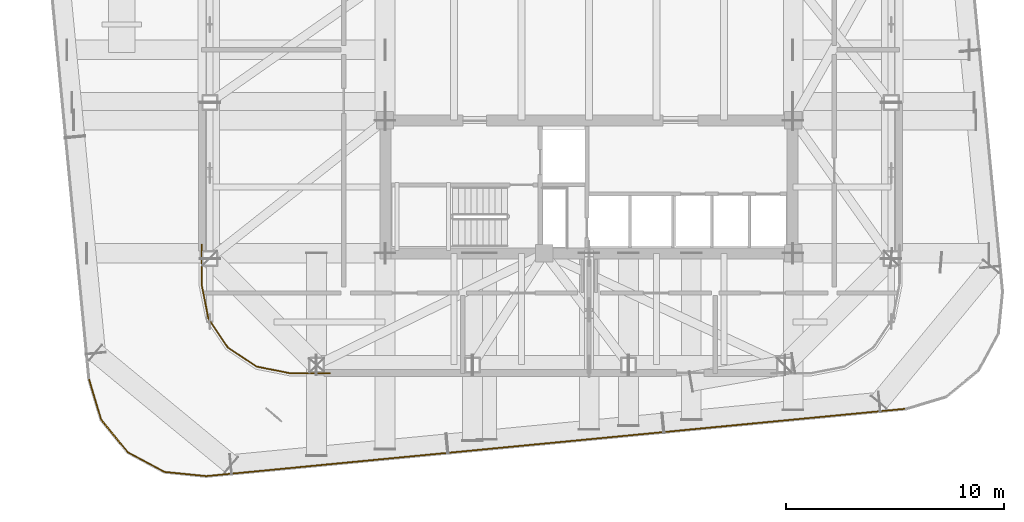
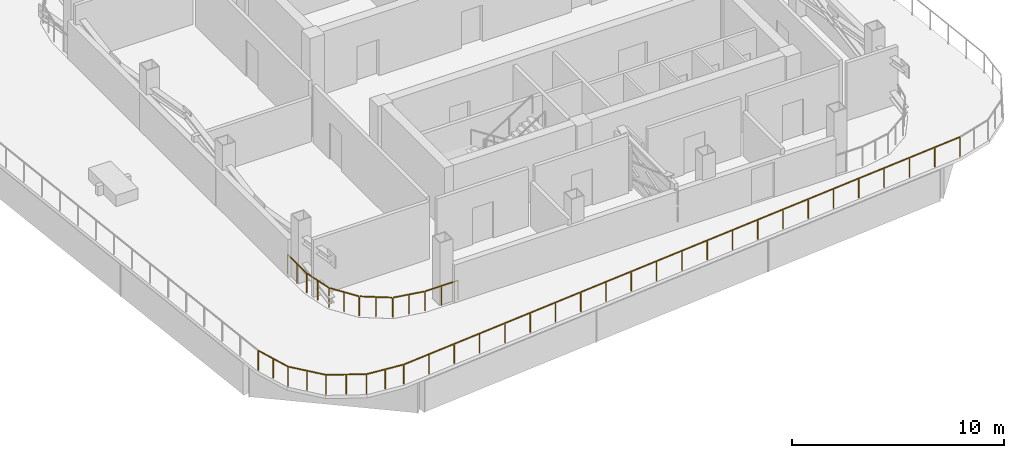
# One storey, part 8 of 12: 6 railings.
"""IFC4 building model written with IfcOpenShell, lengths in metres."""

from ifc_helpers import new_model, si_unit, direction, frame, origin, origin_2d, place, context, subcontext, project, spatial, rectangle, extrude, material, type_object, element, save


model = new_model("IFC4")

# Units and contexts
model_context = context("Model", 3, precision=1e-05, world=origin(), true_north=direction((0.0, 1.0)))
body_context = subcontext(model_context, "Body", "Model", "MODEL_VIEW")
ifc_project = project(units=[si_unit("LENGTHUNIT", "METRE"), si_unit("AREAUNIT", "SQUARE_METRE"), si_unit("VOLUMEUNIT", "CUBIC_METRE"), si_unit("PLANEANGLEUNIT", "RADIAN"), si_unit("MASSUNIT", "GRAM", prefix="KILO")], contexts=[model_context])

# Site, building, storey
site_placement = place(None, origin())
site = spatial("IfcSite", under=ifc_project, at=site_placement, CompositionType="ELEMENT")
building_placement = place(site_placement, origin())
building = spatial("IfcBuilding", under=site, at=building_placement, Name="Qhalaya Broadcast Tower", CompositionType="ELEMENT")
storey_placement = place(building_placement, frame((0.0, 0.0, 187.949951171875)))
storey = spatial("IfcBuildingStorey", under=building, at=storey_placement, Name="L55", CompositionType="ELEMENT", Elevation=187.949951171875)

# Railings
ifc_material = material(Name="Powder-Coated Galvanised Steel", Category="steel")
railing_type = type_object("IfcRailingType", Name="Terrace, Sky-Pool & Lookout Glass Balustrade 1150", PredefinedType="BALUSTRADE", material=ifc_material)
railing_1_placement = place(storey_placement, frame((14.54736328125, -15.8857421875, 0.0)))
element("IfcRailing", 1, at=railing_1_placement, inside=storey, type_object=railing_type, Name="L55 Perimeter Safety Balustrade BAL-TER1-01", PredefinedType="BALUSTRADE", context=body_context, shape_type="SweptSolid", body=[
    extrude(rectangle(XDim=0.048095703125, YDim=0.048095703125, at=origin_2d()), frame((0.0, 0.0, 1.1259765625), z_axis=(-0.995396439937, -0.095843243685, 0.0), x_axis=(0.095843243685, -0.995396439937, 0.0)), (0.0, 0.0, 1.0), 32.284423828125),
    extrude(rectangle(XDim=0.0419921875, YDim=0.0419921875, at=origin_2d()), origin(), (0.0, 0.0, 1.0), 1.099853515625),
    extrude(rectangle(XDim=0.0419921875, YDim=0.0419921875, at=origin_2d()), frame((-1.460693359375, -0.140625, 0.0)), (0.0, 0.0, 1.0), 1.099853515625),
    extrude(rectangle(XDim=0.0419921875, YDim=0.0419921875, at=origin_2d()), frame((-2.92138671875, -0.28125, 0.0)), (0.0, 0.0, 1.0), 1.099853515625),
    extrude(rectangle(XDim=0.0419921875, YDim=0.0419921875, at=origin_2d()), frame((-4.382080078125, -0.421875, 0.0)), (0.0, 0.0, 1.0), 1.099853515625),
    extrude(rectangle(XDim=0.0419921875, YDim=0.0419921875, at=origin_2d()), frame((-5.8427734375, -0.5625, 0.0)), (0.0, 0.0, 1.0), 1.099853515625),
    extrude(rectangle(XDim=0.0419921875, YDim=0.0419921875, at=origin_2d()), frame((-7.303466796875, -0.703125, 0.0)), (0.0, 0.0, 1.0), 1.099853515625),
    extrude(rectangle(XDim=0.0419921875, YDim=0.0419921875, at=origin_2d()), frame((-8.764404296875, -0.843994140625, 0.0)), (0.0, 0.0, 1.0), 1.099853515625),
    extrude(rectangle(XDim=0.0419921875, YDim=0.0419921875, at=origin_2d()), frame((-10.22509765625, -0.984619140625, 0.0)), (0.0, 0.0, 1.0), 1.099853515625),
    extrude(rectangle(XDim=0.0419921875, YDim=0.0419921875, at=origin_2d()), frame((-11.685791015625, -1.125244140625, 0.0)), (0.0, 0.0, 1.0), 1.099853515625),
    extrude(rectangle(XDim=0.0419921875, YDim=0.0419921875, at=origin_2d()), frame((-13.146484375, -1.265869140625, 0.0)), (0.0, 0.0, 1.0), 1.099853515625),
    extrude(rectangle(XDim=0.0419921875, YDim=0.0419921875, at=origin_2d()), frame((-14.607177734375, -1.406494140625, 0.0)), (0.0, 0.0, 1.0), 1.099853515625),
    extrude(rectangle(XDim=0.0419921875, YDim=0.0419921875, at=origin_2d()), frame((-16.06787109375, -1.547119140625, 0.0)), (0.0, 0.0, 1.0), 1.099853515625),
    extrude(rectangle(XDim=0.0419921875, YDim=0.0419921875, at=origin_2d()), frame((-17.528564453125, -1.687744140625, 0.0)), (0.0, 0.0, 1.0), 1.099853515625),
    extrude(rectangle(XDim=0.0419921875, YDim=0.0419921875, at=origin_2d()), frame((-18.9892578125, -1.828369140625, 0.0)), (0.0, 0.0, 1.0), 1.099853515625),
    extrude(rectangle(XDim=0.0419921875, YDim=0.0419921875, at=origin_2d()), frame((-20.449951171875, -1.968994140625, 0.0)), (0.0, 0.0, 1.0), 1.099853515625),
    extrude(rectangle(XDim=0.0419921875, YDim=0.0419921875, at=origin_2d()), frame((-21.91064453125, -2.109619140625, 0.0)), (0.0, 0.0, 1.0), 1.099853515625),
    extrude(rectangle(XDim=0.0419921875, YDim=0.0419921875, at=origin_2d()), frame((-23.371337890625, -2.250244140625, 0.0)), (0.0, 0.0, 1.0), 1.099853515625),
    extrude(rectangle(XDim=0.0419921875, YDim=0.0419921875, at=origin_2d()), frame((-24.832275390625, -2.39111328125, 0.0)), (0.0, 0.0, 1.0), 1.099853515625),
    extrude(rectangle(XDim=0.0419921875, YDim=0.0419921875, at=origin_2d()), frame((-26.29296875, -2.53173828125, 0.0)), (0.0, 0.0, 1.0), 1.099853515625),
    extrude(rectangle(XDim=0.0419921875, YDim=0.0419921875, at=origin_2d()), frame((-27.753662109375, -2.67236328125, 0.0)), (0.0, 0.0, 1.0), 1.099853515625),
    extrude(rectangle(XDim=0.0419921875, YDim=0.0419921875, at=origin_2d()), frame((-29.21435546875, -2.81298828125, 0.0)), (0.0, 0.0, 1.0), 1.099853515625),
    extrude(rectangle(XDim=0.0419921875, YDim=0.0419921875, at=origin_2d()), frame((-30.675048828125, -2.95361328125, 0.0)), (0.0, 0.0, 1.0), 1.099853515625),
    extrude(rectangle(XDim=0.0419921875, YDim=0.0419921875, at=origin_2d()), frame((-32.1357421875, -3.09423828125, 0.0)), (0.0, 0.0, 1.0), 1.099853515625),
])
railing_2_placement = place(storey_placement, frame((-17.58837890625, -18.97998046875, 0.0)))
element("IfcRailing", 2, at=railing_2_placement, inside=storey, type_object=railing_type, Name="L55 Perimeter Safety Balustrade BAL-TER1-02", PredefinedType="BALUSTRADE", context=body_context, shape_type="SweptSolid", body=[
    extrude(rectangle(XDim=0.048095703125, YDim=0.048095703125, at=origin_2d()), frame((0.0, 0.0, 1.1259765625), z_axis=(-0.994979325079, 0.100080680776, 0.0), x_axis=(-0.100080680776, -0.994979325079, 0.0)), (0.0, 0.0, 1.0), 1.92724609375),
    extrude(rectangle(XDim=0.0419921875, YDim=0.0419921875, at=origin_2d()), origin(), (0.0, 0.0, 1.0), 1.099853515625),
    extrude(rectangle(XDim=0.0419921875, YDim=0.0419921875, at=origin_2d()), frame((-0.958740234375, 0.096435546875, 0.0)), (0.0, 0.0, 1.0), 1.099853515625),
    extrude(rectangle(XDim=0.0419921875, YDim=0.0419921875, at=origin_2d()), frame((-1.91748046875, 0.19287109375, 0.0)), (0.0, 0.0, 1.0), 1.099853515625),
])
railing_3_placement = place(storey_placement, frame((-19.505859375, -18.787109375, 0.0)))
element("IfcRailing", 3, at=railing_3_placement, inside=storey, type_object=railing_type, Name="L55 Perimeter Safety Balustrade BAL-TER1-03", PredefinedType="BALUSTRADE", context=body_context, shape_type="SweptSolid", body=[
    extrude(rectangle(XDim=0.048095703125, YDim=0.048095703125, at=origin_2d()), frame((0.0, 0.0, 1.1259765625), z_axis=(-0.880911923968, 0.473280236447, 0.0), x_axis=(-0.473280236447, -0.880911923968, 0.0)), (0.0, 0.0, 1.0), 1.9189453125),
    extrude(rectangle(XDim=0.0419921875, YDim=0.0419921875, at=origin_2d()), origin(), (0.0, 0.0, 1.0), 1.099853515625),
    extrude(rectangle(XDim=0.0419921875, YDim=0.0419921875, at=origin_2d()), frame((-0.84521484375, 0.4541015625, 0.0)), (0.0, 0.0, 1.0), 1.099853515625),
    extrude(rectangle(XDim=0.0419921875, YDim=0.0419921875, at=origin_2d()), frame((-1.6904296875, 0.908203125, 0.0)), (0.0, 0.0, 1.0), 1.099853515625),
])
railing_4_placement = place(storey_placement, frame((-21.1962890625, -17.87890625, 0.0)))
element("IfcRailing", 4, at=railing_4_placement, inside=storey, type_object=railing_type, Name="L55 Perimeter Safety Balustrade BAL-TER1-04", PredefinedType="BALUSTRADE", context=body_context, shape_type="SweptSolid", body=[
    extrude(rectangle(XDim=0.048095703125, YDim=0.048095703125, at=origin_2d()), frame((0.0, 0.0, 1.1259765625), z_axis=(-0.632621056087, 0.774461489937, 0.0), x_axis=(-0.774461489937, -0.632621056087, 0.0)), (0.0, 0.0, 1.0), 1.919189453125),
    extrude(rectangle(XDim=0.0419921875, YDim=0.0419921875, at=origin_2d()), origin(), (0.0, 0.0, 1.0), 1.099853515625),
    extrude(rectangle(XDim=0.0419921875, YDim=0.0419921875, at=origin_2d()), frame((-0.60693359375, 0.7431640625, 0.0)), (0.0, 0.0, 1.0), 1.099853515625),
    extrude(rectangle(XDim=0.0419921875, YDim=0.0419921875, at=origin_2d()), frame((-1.214111328125, 1.486328125, 0.0)), (0.0, 0.0, 1.0), 1.099853515625),
])
railing_5_placement = place(storey_placement, frame((-22.410400390625, -16.392578125, 0.0)))
element("IfcRailing", 5, at=railing_5_placement, inside=storey, type_object=railing_type, Name="L55 Perimeter Safety Balustrade BAL-TER1-05", PredefinedType="BALUSTRADE", context=body_context, shape_type="SweptSolid", body=[
    extrude(rectangle(XDim=0.048095703125, YDim=0.048095703125, at=origin_2d()), frame((0.0, 0.0, 1.1259765625), z_axis=(-0.288231141391, 0.957560864453, 0.0), x_axis=(-0.957560864453, -0.288231141391, 0.0)), (0.0, 0.0, 1.0), 1.927001953125),
    extrude(rectangle(XDim=0.0419921875, YDim=0.0419921875, at=origin_2d()), origin(), (0.0, 0.0, 1.0), 1.099853515625),
    extrude(rectangle(XDim=0.0419921875, YDim=0.0419921875, at=origin_2d()), frame((-0.27783203125, 0.922607421875, 0.0)), (0.0, 0.0, 1.0), 1.099853515625),
    extrude(rectangle(XDim=0.0419921875, YDim=0.0419921875, at=origin_2d()), frame((-0.555419921875, 1.84521484375, 0.0)), (0.0, 0.0, 1.0), 1.099853515625),
])
railing_6_placement = place(storey_placement, frame((-11.902099609375, -14.260009765625, 0.0)))
element("IfcRailing", 6, at=railing_6_placement, inside=storey, type_object=railing_type, Name="L55 Rounded Corner Perimeter Guard 02", PredefinedType="BALUSTRADE", context=body_context, shape_type="SweptSolid", body=[
    extrude(rectangle(XDim=0.048095703125, YDim=0.048095703125, at=origin_2d()), frame((0.0, 0.0, 1.1259765625), z_axis=(-1.0, 0.0, 0.0), x_axis=(0.0, -1.0, 0.0)), (0.0, 0.0, 1.0), 1.77734375),
    extrude(rectangle(XDim=0.048095703125, YDim=0.048095703125, at=origin_2d()), frame((-1.83447265625, 0.005615234375, 1.1259765625), z_axis=(-0.980785153523, 0.195090959886, 0.0), x_axis=(-0.195090959886, -0.980785153523, 0.0)), (0.0, 0.0, 1.0), 1.54541015625),
    extrude(rectangle(XDim=0.048095703125, YDim=0.048095703125, at=origin_2d()), frame((-3.40234375, 0.328857421875, 1.1259765625), z_axis=(-0.83141232178, 0.555655964777, 0.0), x_axis=(-0.555655964777, -0.83141232178, 0.0)), (0.0, 0.0, 1.0), 1.533203125),
    extrude(rectangle(XDim=0.048095703125, YDim=0.048095703125, at=origin_2d()), frame((-4.71728515625, 1.220703125, 1.1259765625), z_axis=(-0.555655964777, 0.83141232178, 0.0), x_axis=(-0.83141232178, -0.555655964777, 0.0)), (0.0, 0.0, 1.0), 1.533203125),
    extrude(rectangle(XDim=0.048095703125, YDim=0.048095703125, at=origin_2d()), frame((-5.5908203125, 2.5478515625, 1.1259765625), z_axis=(-0.195090959886, 0.980785153523, 0.0), x_axis=(-0.980785153523, -0.195090959886, 0.0)), (0.0, 0.0, 1.0), 1.54541015625),
    extrude(rectangle(XDim=0.048095703125, YDim=0.048095703125, at=origin_2d()), frame((-5.89794921875, 4.12060546875, 1.1259765625), z_axis=(0.0, 1.0, 0.0), x_axis=(-1.0, 0.0, 0.0)), (0.0, 0.0, 1.0), 1.77734375),
    extrude(rectangle(XDim=0.0419921875, YDim=0.0419921875, at=origin_2d()), origin(), (0.0, 0.0, 1.0), 1.099853515625),
    extrude(rectangle(XDim=0.0419921875, YDim=0.0419921875, at=origin_2d()), frame((-0.903076171875, 0.0, 0.0)), (0.0, 0.0, 1.0), 1.099853515625),
    extrude(rectangle(XDim=0.0419921875, YDim=0.0419921875, at=origin_2d()), frame((-1.80615234375, 0.0, 0.0)), (0.0, 0.0, 1.0), 1.099853515625),
    extrude(rectangle(XDim=0.0419921875, YDim=0.0419921875, at=origin_2d()), frame((-2.59228515625, 0.15625, 0.0)), (0.0, 0.0, 1.0), 1.099853515625),
    extrude(rectangle(XDim=0.0419921875, YDim=0.0419921875, at=origin_2d()), frame((-3.37841796875, 0.312744140625, 0.0)), (0.0, 0.0, 1.0), 1.099853515625),
    extrude(rectangle(XDim=0.0419921875, YDim=0.0419921875, at=origin_2d()), frame((-4.039794921875, 0.7548828125, 0.0)), (0.0, 0.0, 1.0), 1.099853515625),
    extrude(rectangle(XDim=0.0419921875, YDim=0.0419921875, at=origin_2d()), frame((-4.701171875, 1.19677734375, 0.0)), (0.0, 0.0, 1.0), 1.099853515625),
    extrude(rectangle(XDim=0.0419921875, YDim=0.0419921875, at=origin_2d()), frame((-5.14306640625, 1.858154296875, 0.0)), (0.0, 0.0, 1.0), 1.099853515625),
    extrude(rectangle(XDim=0.0419921875, YDim=0.0419921875, at=origin_2d()), frame((-5.585205078125, 2.51953125, 0.0)), (0.0, 0.0, 1.0), 1.099853515625),
    extrude(rectangle(XDim=0.0419921875, YDim=0.0419921875, at=origin_2d()), frame((-5.74169921875, 3.3056640625, 0.0)), (0.0, 0.0, 1.0), 1.099853515625),
    extrude(rectangle(XDim=0.0419921875, YDim=0.0419921875, at=origin_2d()), frame((-5.89794921875, 4.091796875, 0.0)), (0.0, 0.0, 1.0), 1.099853515625),
    extrude(rectangle(XDim=0.0419921875, YDim=0.0419921875, at=origin_2d()), frame((-5.89794921875, 4.994873046875, 0.0)), (0.0, 0.0, 1.0), 1.099853515625),
    extrude(rectangle(XDim=0.0419921875, YDim=0.0419921875, at=origin_2d()), frame((-5.89794921875, 5.89794921875, 0.0)), (0.0, 0.0, 1.0), 1.099853515625),
])

save(model, "model.ifc")
